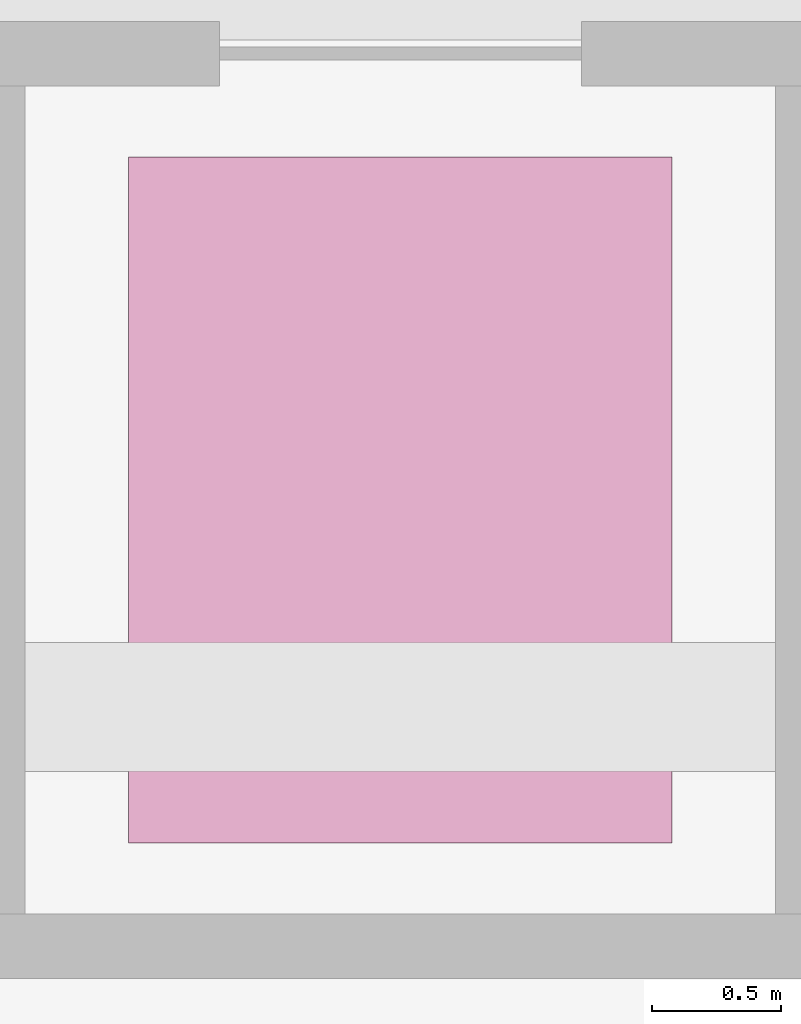
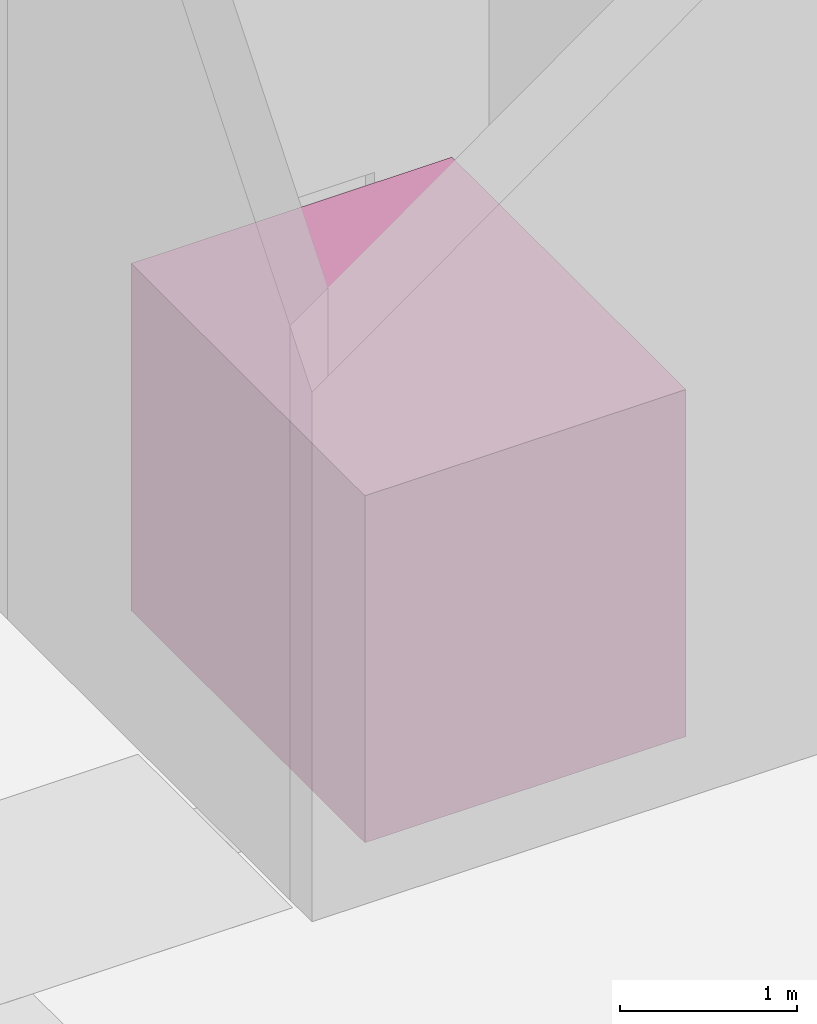
# One storey, part 82 of 82: 1 transport element.
"""IFC4 building model written with IfcOpenShell, lengths in metres."""

import ifcopenshell
import ifcopenshell.guid

model = None  # the IFC model being written
_history = None  # IfcOwnerHistory: only IFC2X3 demands one
_inside = {}  # id of a spatial element -> (the spatial element, [elements in it])
_under = {}  # id of a project, library or spatial element -> (it, [spatial elements below it])
_declared = {}  # id of a project -> (the project, [libraries it declares])
_typed = {}  # id of a type object -> (the type object, [elements of that type])
_made_of = {}  # id of a material, layer set ... -> (it, [elements and type objects made of it])


def new_model(schema):
    """Start an empty IFC model of exactly this schema.

    Asked for "IFC4X3", IfcOpenShell would pick the latest addendum, in which some entities
    have other attributes; the version numbers below select the first issue.
    IFC2X3 requires an IfcOwnerHistory on every rooted entity: one is made here for all.
    """
    global model, _history
    if schema == "IFC4X3":
        model = ifcopenshell.file(schema_version=(4, 3, 0, 0))
    else:
        model = ifcopenshell.file(schema=schema)
    _inside.clear()
    _under.clear()
    _declared.clear()
    _typed.clear()
    _made_of.clear()
    _history = None
    if model.schema == "IFC2X3":
        org = make("IfcOrganization", Name="unknown")
        user = make(
            "IfcPersonAndOrganization",
            ThePerson=make("IfcPerson", FamilyName="unknown"),
            TheOrganization=org,
        )
        app = make(
            "IfcApplication",
            ApplicationDeveloper=org,
            Version="unknown",
            ApplicationFullName="unknown",
            ApplicationIdentifier="unknown",
        )
        _history = make(
            "IfcOwnerHistory",
            OwningUser=user,
            OwningApplication=app,
            ChangeAction="ADDED",
            CreationDate=0,
        )
    return model


def make(cls, **values):
    """One entity of the class cls with the attributes given. An attribute that is None is left unset."""
    return model.create_entity(
        cls, **{name: value for name, value in values.items() if value is not None}
    )


def rooted(cls, **values):
    """An entity with a GlobalId (a new one), such as an element, a storey or a relation."""
    return make(cls, GlobalId=ifcopenshell.guid.new(), OwnerHistory=_history, **values)


def si_unit(unit_type, name, prefix=None):
    """IfcSIUnit, for example si_unit("LENGTHUNIT", "METRE", prefix="MILLI")."""
    return make("IfcSIUnit", UnitType=unit_type, Prefix=prefix, Name=name)


def assignment(units):
    """IfcUnitAssignment: the units of a project."""
    return None if units is None else make("IfcUnitAssignment", Units=units)


def point(xyz):
    """IfcCartesianPoint."""
    return None if xyz is None else make("IfcCartesianPoint", Coordinates=xyz)


def direction(xyz):
    """IfcDirection."""
    return None if xyz is None else make("IfcDirection", DirectionRatios=xyz)


def frame(location, z_axis=None, x_axis=None):
    """IfcAxis2Placement3D, a coordinate frame: its origin and axes. An axis left out is left unset."""
    return make(
        "IfcAxis2Placement3D",
        Location=point(location),
        Axis=direction(z_axis),
        RefDirection=direction(x_axis),
    )


def frame_2d(location, x_axis=None):
    """IfcAxis2Placement2D, a coordinate frame in the plane: its origin and x axis."""
    return make(
        "IfcAxis2Placement2D", Location=point(location), RefDirection=direction(x_axis)
    )


def origin():
    """The frame at (0, 0, 0) with its axes left unset."""
    return frame((0.0, 0.0, 0.0))


def origin_2d():
    """The frame at (0, 0) in the plane with its x axis left unset."""
    return frame_2d((0.0, 0.0))


def place(relative_to, where):
    """IfcLocalPlacement: puts the frame where relative to a parent placement (None: the world)."""
    return make(
        "IfcLocalPlacement", PlacementRelTo=relative_to, RelativePlacement=where
    )


def context(
    kind, dimensions, precision=None, world=None, true_north=None, identifier=None
):
    """IfcGeometricRepresentationContext, for example the 3D "Model" context."""
    return make(
        "IfcGeometricRepresentationContext",
        ContextIdentifier=identifier,
        ContextType=kind,
        CoordinateSpaceDimension=dimensions,
        Precision=precision,
        WorldCoordinateSystem=world,
        TrueNorth=true_north,
    )


def subcontext(parent, identifier, kind, view, scale=None):
    """IfcGeometricRepresentationSubContext, for example "Body" below "Model"."""
    return make(
        "IfcGeometricRepresentationSubContext",
        ContextIdentifier=identifier,
        ContextType=kind,
        ParentContext=parent,
        TargetScale=scale,
        TargetView=view,
    )


def project(units=None, contexts=None):
    """IfcProject with its units and contexts."""
    return rooted(
        "IfcProject",
        Name="project",
        RepresentationContexts=contexts,
        UnitsInContext=assignment(units),
    )


def spatial(cls, under=None, at=None, **own):
    """A site, building, storey or space (cls), placed at a placement, below another one or the project."""
    s = rooted(cls, ObjectPlacement=at, **own)
    if under is not None:
        _under.setdefault(under.id(), (under, []))[1].append(s)
    return s


def profile(cls, at=None, kind="AREA", **sizes):
    """A parametric profile (cls). Its sizes go by their IFC names, for example OverallWidth=200.0."""
    return make(cls, ProfileType=kind, Position=at, **sizes)


def rectangle(**sizes):
    """IfcRectangleProfileDef."""
    return profile("IfcRectangleProfileDef", **sizes)


def extrude(swept, where, along, depth):
    """IfcExtrudedAreaSolid: the profile swept, set in the frame where, extruded along a direction by depth."""
    return make(
        "IfcExtrudedAreaSolid",
        SweptArea=swept,
        Position=where,
        ExtrudedDirection=direction(along),
        Depth=depth,
    )


def shape(context_of_items, identifier, shape_type, items):
    """IfcShapeRepresentation: the items that make up one representation, for example the "Body"."""
    return make(
        "IfcShapeRepresentation",
        ContextOfItems=context_of_items,
        RepresentationIdentifier=identifier,
        RepresentationType=shape_type,
        Items=items,
    )


def material(Name=None, Category=None):
    """IfcMaterial."""
    return make("IfcMaterial", Name=Name, Category=Category)


def made_of(thing, what):
    """Note that an element or type object is made of a material, layer set ...; save() writes the relation."""
    if what is not None:
        _made_of.setdefault(what.id(), (what, []))[1].append(thing)
    return thing


def type_object(cls, material=None, **own):
    """A type object (cls), such as IfcWallType, which elements share."""
    return made_of(rooted(cls, **own), material)


def element(
    cls,
    number,
    at=None,
    inside=None,
    cuts=None,
    type_object=None,
    material=None,
    context=None,
    identifier="Body",
    shape_type=None,
    held_by="IfcProductDefinitionShape",
    body=None,
    shapes=None,
    **own,
):
    """One element of the class cls, such as IfcWall. Its Tag is "e" and its number.

    at: its placement. inside: the storey or other place that contains it. cuts: it is an
    opening in that element (IfcRelVoidsElement). A single representation is given by context,
    identifier, shape_type and body (its items); several are given by shapes. held_by: the class
    of the entity that holds the representations. save() writes the other relations.
    """
    e = rooted(cls, Tag="e%d" % number, ObjectPlacement=at, **own)
    if body is not None:
        shapes = [shape(context, identifier, shape_type, body)]
    if shapes is not None:
        e.Representation = make(held_by, Representations=shapes)
    if inside is not None:
        _inside.setdefault(inside.id(), (inside, []))[1].append(e)
    if cuts is not None:
        rooted(
            "IfcRelVoidsElement", RelatingBuildingElement=cuts, RelatedOpeningElement=e
        )
    if type_object is not None:
        _typed.setdefault(type_object.id(), (type_object, []))[1].append(e)
    return made_of(e, material)


def aggregate(whole, parts):
    """IfcRelAggregates: a whole, such as a stair, and the parts it consists of."""
    return rooted("IfcRelAggregates", RelatingObject=whole, RelatedObjects=parts)


def save(model, path):
    """Write the relations noted so far, then the file.

    IfcRelAggregates (storeys below a building ...), IfcRelContainedInSpatialStructure (elements
    in a storey), IfcRelDefinesByType, IfcRelAssociatesMaterial and IfcRelDeclares: one each for
    every whole, place, type object, material and project.
    """
    for whole, parts in _under.values():
        aggregate(whole, parts)
    for where, things in _inside.values():
        rooted(
            "IfcRelContainedInSpatialStructure",
            RelatedElements=things,
            RelatingStructure=where,
        )
    for kind, things in _typed.values():
        rooted("IfcRelDefinesByType", RelatedObjects=things, RelatingType=kind)
    for what, things in _made_of.values():
        rooted("IfcRelAssociatesMaterial", RelatedObjects=things, RelatingMaterial=what)
    for by, libraries in _declared.values():
        rooted("IfcRelDeclares", RelatingContext=by, RelatedDefinitions=libraries)
    model.write(path)


model = new_model("IFC4")

# Units and contexts
model_context = context("Model", 3, precision=1e-05, world=origin(), true_north=direction((0.0, 1.0)))
body_context = subcontext(model_context, "Body", "Model", "MODEL_VIEW")
ifc_project = project(units=[si_unit("LENGTHUNIT", "METRE"), si_unit("AREAUNIT", "SQUARE_METRE"), si_unit("VOLUMEUNIT", "CUBIC_METRE"), si_unit("PLANEANGLEUNIT", "RADIAN"), si_unit("MASSUNIT", "GRAM", prefix="KILO")], contexts=[model_context])

# Site, building, storey
site_placement = place(None, origin())
site = spatial("IfcSite", under=ifc_project, at=site_placement, CompositionType="ELEMENT")
building_placement = place(site_placement, origin())
building = spatial("IfcBuilding", under=site, at=building_placement, Name="Drelvath Fold Interchange", CompositionType="ELEMENT")
storey_placement = place(building_placement, origin())
storey = spatial("IfcBuildingStorey", under=building, at=storey_placement, Name="L00", CompositionType="ELEMENT", Elevation=0.0)

# Transport element
ifc_material = material(Name="Stainless Steel 316L", Category="steel")
transport_element_type = type_object("IfcTransportElementType", Name="EL-CYC2500", PredefinedType="ELEVATOR", material=ifc_material)
transport_element_placement = place(storey_placement, frame((121.64990234375, 99.800048828125, 0.0), z_axis=(0.0, 0.0, 1.0), x_axis=(1.0, 0.0, 0.0)))
element("IfcTransportElement", 1, at=transport_element_placement, inside=storey, type_object=transport_element_type, Name="Cycle Hub Cargo and Passenger Lift LF-08", PredefinedType="ELEVATOR", context=body_context, shape_type="SweptSolid", body=[
    extrude(rectangle(XDim=2.10009765625, YDim=2.64990234375, at=origin_2d()), origin(), (0.0, 0.0, 1.0), 2.39990234375),
])

save(model, "model.ifc")
